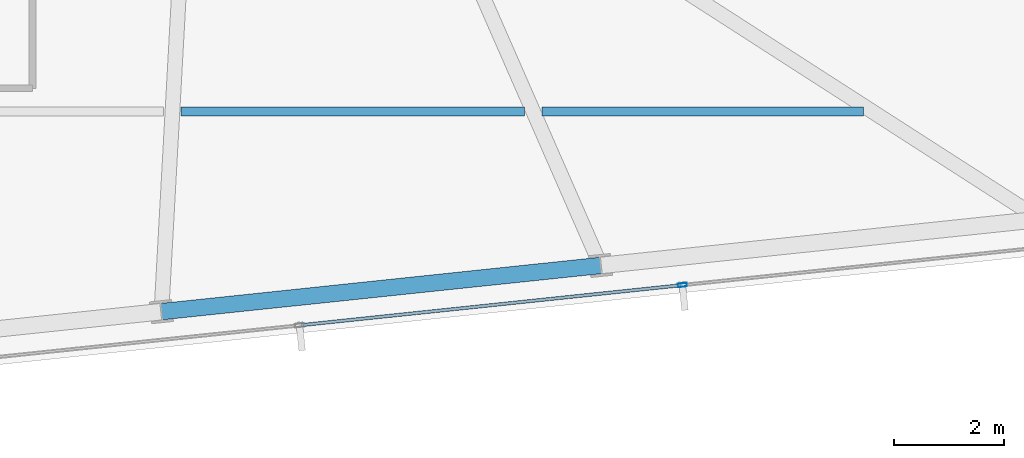
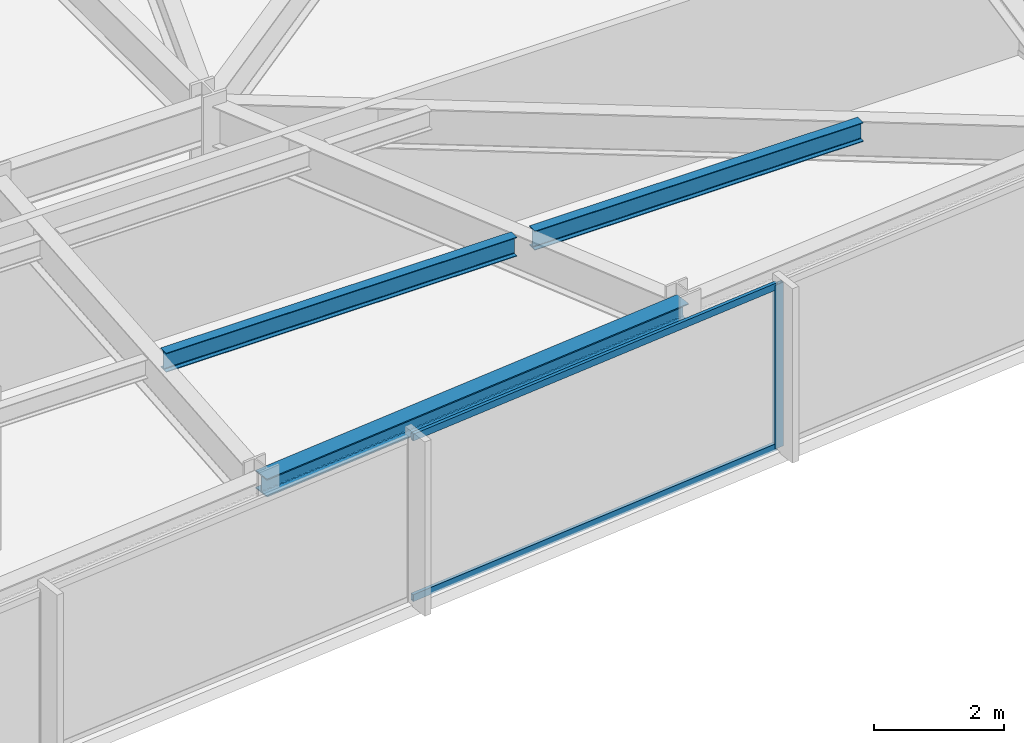
# One storey, part 15 of 33: 3 beams, 3 members, 1 element without a shape of its own.
"""IFC4 building model written with IfcOpenShell, lengths in metres."""

from ifc_helpers import new_model, si_unit, direction, frame, origin, origin_2d, place, context, subcontext, project, spatial, hollow_rectangle, i_section, extrude, material, material_profile, profile_set, type_object, element, aggregate, save


model = new_model("IFC4")

# Units and contexts
model_context = context("Model", 3, precision=1e-05, world=origin(), true_north=direction((0.0, 1.0)))
body_context = subcontext(model_context, "Body", "Model", "MODEL_VIEW")
ifc_project = project(units=[si_unit("LENGTHUNIT", "METRE"), si_unit("AREAUNIT", "SQUARE_METRE"), si_unit("VOLUMEUNIT", "CUBIC_METRE"), si_unit("PLANEANGLEUNIT", "RADIAN"), si_unit("MASSUNIT", "GRAM", prefix="KILO")], contexts=[model_context])

# Site, building, storey
site_placement = place(None, origin())
site = spatial("IfcSite", under=ifc_project, at=site_placement, CompositionType="ELEMENT")
building_placement = place(site_placement, origin())
building = spatial("IfcBuilding", under=site, at=building_placement, Name="Yelkora Congress Tower", CompositionType="ELEMENT")
storey_placement = place(building_placement, frame((0.0, 0.0, 221.0)))
storey = spatial("IfcBuildingStorey", under=building, at=storey_placement, Name="L61", CompositionType="ELEMENT", Elevation=221.0)

# Beams
ifc_material_1 = material(Name="Steel S355J2", Category="steel")
ifc_material_profile_1 = material_profile(ifc_material_1, i_section(OverallWidth=0.169921875, OverallDepth=0.360107421875, WebThickness=0.008056640625, FlangeThickness=0.0126953125, FilletRadius=0.01806640625, at=origin_2d()), Name="IPE 360")
ifc_profile_set_1 = profile_set([ifc_material_profile_1], Name="Steel S355J2")
beam_type_1 = type_object("IfcBeamType", Name="BM-JOIST-IPE360", PredefinedType="JOIST", material=ifc_profile_set_1)
beam_1_placement = place(storey_placement, frame((53.616455078125, 19.678466796875, 2.89990234375), z_axis=(1.0, 0.0, 0.0), x_axis=(0.0, 1.0, 0.0)))
element("IfcBeam", 1, at=beam_1_placement, inside=storey, type_object=beam_type_1, Name="L61 Composite Floor Joist 7", PredefinedType="JOIST", context=body_context, shape_type="SweptSolid", body=[
    extrude(i_section(OverallWidth=0.169921875, OverallDepth=0.360107421875, WebThickness=0.008056640625, FlangeThickness=0.0126953125, FilletRadius=0.01806640625, at=origin_2d()), origin(), (0.0, 0.0, 1.0), 6.2421875),
])
beam_2_placement = place(storey_placement, frame((60.1787109375, 19.678466796875, 2.89990234375), z_axis=(1.0, 0.0, 0.0), x_axis=(0.0, 1.0, 0.0)))
element("IfcBeam", 2, at=beam_2_placement, inside=storey, type_object=beam_type_1, Name="L61 Composite Floor Joist 8", PredefinedType="JOIST", context=body_context, shape_type="SweptSolid", body=[
    extrude(i_section(OverallWidth=0.169921875, OverallDepth=0.360107421875, WebThickness=0.008056640625, FlangeThickness=0.0126953125, FilletRadius=0.01806640625, at=origin_2d()), origin(), (0.0, 0.0, 1.0), 5.84619140625),
])
ifc_material_profile_2 = material_profile(ifc_material_1, i_section(OverallWidth=0.300048828125, OverallDepth=0.340087890625, WebThickness=0.011962890625, FlangeThickness=0.021484375, FilletRadius=0.027099609375, at=origin_2d()), Name="HEB 340")
ifc_profile_set_2 = profile_set([ifc_material_profile_2], Name="Steel S355J2")
beam_type_2 = type_object("IfcBeamType", Name="BM-SPAN-HEB340", PredefinedType="SPANDREL", material=ifc_profile_set_2)
beam_3_placement = place(storey_placement, frame((53.25634765625, 16.037353515625, 2.909912109375), z_axis=(0.994520097542, 0.104545567032, 0.0), x_axis=(-0.104545567032, 0.994520097542, 0.0)))
element("IfcBeam", 3, at=beam_3_placement, inside=storey, type_object=beam_type_2, Name="L61 Perimeter Beam 7", PredefinedType="SPANDREL", context=body_context, shape_type="SweptSolid", body=[
    extrude(i_section(OverallWidth=0.300048828125, OverallDepth=0.340087890625, WebThickness=0.011962890625, FlangeThickness=0.021484375, FilletRadius=0.027099609375, at=origin_2d()), origin(), (0.0, 0.0, 1.0), 8.033203125),
])

# Curtain wall, members
ifc_material_2 = material(Name="Anodised aluminium and insulated glass", Category="aluminium")
curtain_wall_type = type_object("IfcCurtainWallType", Name="CW-SYS-B4", PredefinedType="NOTDEFINED", material=ifc_material_2)
curtain_wall_placement = place(storey_placement, origin())
curtain_wall = element("IfcCurtainWall", 4, at=curtain_wall_placement, inside=storey, type_object=curtain_wall_type, Name="L61 Unitised Curtain Wall 20", PredefinedType="NOTDEFINED")
ifc_material_3 = material(Name="Anodised aluminium 6063-T6", Category="aluminium")
ifc_material_profile_3 = material_profile(ifc_material_3, hollow_rectangle(XDim=0.06494140625, YDim=0.159912109375, WallThickness=0.00390625, at=origin_2d()), Name="ALU 65x160x4")
ifc_profile_set_3 = profile_set([ifc_material_profile_3], Name="Anodised aluminium 6063-T6")
member_type_1 = type_object("IfcMemberType", Name="MEM-ML-B4", PredefinedType="MULLION", material=ifc_profile_set_3)
member_1_placement = place(storey_placement, frame((62.731689453125, 16.5205078125, 0.0), z_axis=(0.0, 0.0, 1.0), x_axis=(0.104526664994, -0.994522084373, 0.0)))
member_1 = element("IfcMember", 5, at=member_1_placement, type_object=member_type_1, Name="CW-B4 mullion 2", PredefinedType="MULLION", context=body_context, shape_type="SweptSolid", body=[
    extrude(hollow_rectangle(XDim=0.06494140625, YDim=0.159912109375, WallThickness=0.00390625, at=origin_2d()), origin(), (0.0, 0.0, 1.0), 3.080078125),
])
ifc_material_profile_4 = material_profile(ifc_material_3, hollow_rectangle(XDim=0.06005859375, YDim=0.1298828125, WallThickness=0.00390625, at=origin_2d()), Name="ALU 60x130x4")
ifc_profile_set_4 = profile_set([ifc_material_profile_4], Name="Anodised aluminium 6063-T6")
member_type_2 = type_object("IfcMemberType", Name="MEM-TR-B4", PredefinedType="USERDEFINED", material=ifc_profile_set_4)
member_2_placement = place(storey_placement, frame((62.69921875, 16.51708984375, 0.030029296875), z_axis=(-0.994519904787, -0.104547400648, 0.0), x_axis=(0.104547400648, -0.994519904787, 0.0)))
member_2 = element("IfcMember", 6, at=member_2_placement, type_object=member_type_2, Name="CW-B4 transom 2.1", ObjectType="TRANSOM", PredefinedType="USERDEFINED", context=body_context, shape_type="SweptSolid", body=[
    extrude(hollow_rectangle(XDim=0.06005859375, YDim=0.1298828125, WallThickness=0.00390625, at=origin_2d()), origin(), (0.0, 0.0, 1.0), 6.93798828125),
])
member_3_placement = place(storey_placement, frame((62.69921875, 16.51708984375, 3.050048828125), z_axis=(-0.994519904787, -0.104547400648, 0.0), x_axis=(0.104547400648, -0.994519904787, 0.0)))
member_3 = element("IfcMember", 7, at=member_3_placement, type_object=member_type_2, Name="CW-B4 transom 2.2", ObjectType="TRANSOM", PredefinedType="USERDEFINED", context=body_context, shape_type="SweptSolid", body=[
    extrude(hollow_rectangle(XDim=0.06005859375, YDim=0.1298828125, WallThickness=0.00390625, at=origin_2d()), origin(), (0.0, 0.0, 1.0), 6.93798828125),
])
aggregate(curtain_wall, [member_1, member_2, member_3])

save(model, "model.ifc")
